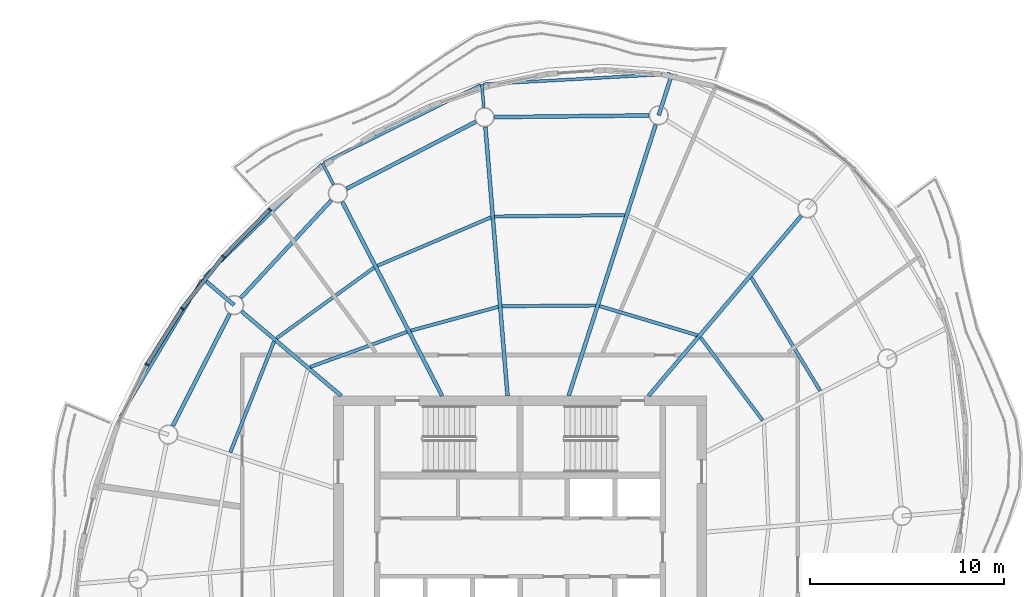
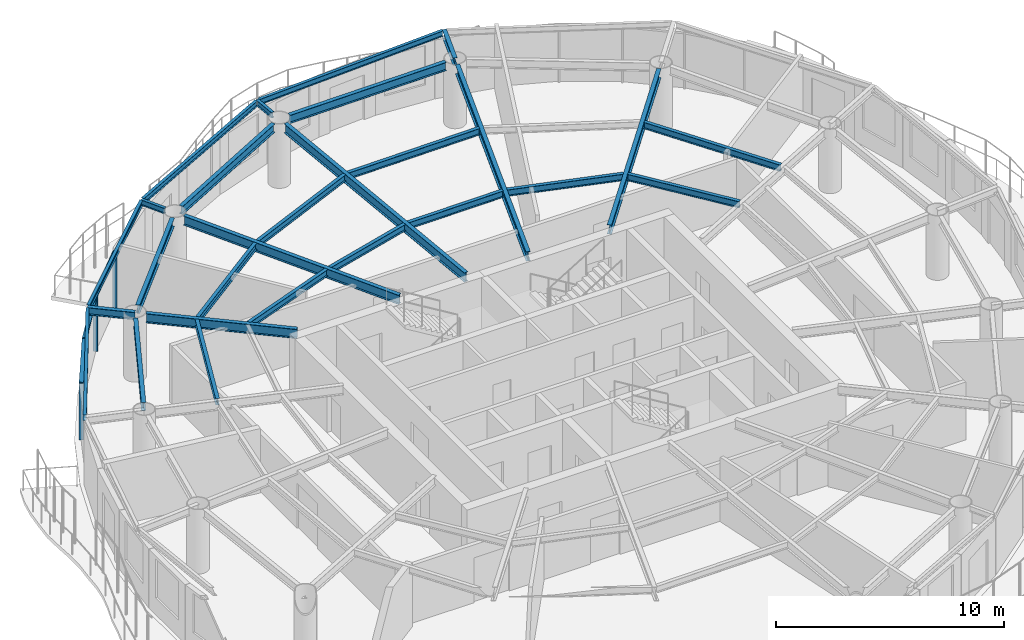
# One storey, part 5 of 14: 27 beams, 7 members, 4 elements without a shape of their own.
"""IFC4 building model written with IfcOpenShell, lengths in metres."""

from ifc_helpers import new_model, si_unit, direction, frame, origin, origin_2d, place, context, subcontext, project, spatial, rectangle, i_section, extrude, material, material_profile, profile_set, type_object, element, aggregate, save


model = new_model("IFC4")

# Units and contexts
model_context = context("Model", 3, precision=1e-05, world=origin(), true_north=direction((0.0, 1.0)))
body_context = subcontext(model_context, "Body", "Model", "MODEL_VIEW")
ifc_project = project(units=[si_unit("LENGTHUNIT", "METRE"), si_unit("AREAUNIT", "SQUARE_METRE"), si_unit("VOLUMEUNIT", "CUBIC_METRE"), si_unit("PLANEANGLEUNIT", "RADIAN"), si_unit("MASSUNIT", "GRAM", prefix="KILO")], contexts=[model_context])

# Site, building, storey
site_placement = place(None, origin())
site = spatial("IfcSite", under=ifc_project, at=site_placement, CompositionType="ELEMENT")
building_placement = place(site_placement, origin())
building = spatial("IfcBuilding", under=site, at=building_placement, Name="Vermilion Reach Broadcast Tower", CompositionType="ELEMENT")
storey_placement = place(building_placement, frame((0.0, 0.0, 254.10009765625)))
storey = spatial("IfcBuildingStorey", under=building, at=storey_placement, Name="L62", CompositionType="ELEMENT", Elevation=254.10009765625)

# Beams
ifc_material_1 = material(Name="Steel S355J2", Category="steel")
ifc_material_profile_1 = material_profile(ifc_material_1, i_section(OverallWidth=0.14990234375, OverallDepth=0.300048828125, WebThickness=0.006591796875, FlangeThickness=0.009033203125, at=origin_2d()), Name="S355J2 HN 300x150x6.5x9")
ifc_profile_set_1 = profile_set([ifc_material_profile_1], Name="Steel S355J2")
beam_type_1 = type_object("IfcBeamType", Name="EB5 HN 300x150x6.5x9", PredefinedType="BEAM", material=ifc_profile_set_1)
beam_1_placement = place(storey_placement, frame((1.715576171875, 24.372802734375, 3.2998046875), z_axis=(-0.998492049907, -0.054896505108, 0.0), x_axis=(0.054896505108, -0.998492049907, 0.0)))
element("IfcBeam", 1, at=beam_1_placement, inside=storey, type_object=beam_type_1, Name="Edge beam EB5-01", PredefinedType="BEAM", context=body_context, shape_type="SweptSolid", body=[
    extrude(i_section(OverallWidth=0.14990234375, OverallDepth=0.300048828125, WebThickness=0.006591796875, FlangeThickness=0.009033203125, at=origin_2d()), origin(), (0.0, 0.0, 1.0), 9.619384765625),
])
beam_2_placement = place(storey_placement, frame((-8.03662109375, 23.8046875, 3.2998046875), z_axis=(-0.896081241174, -0.443890086865, 0.0), x_axis=(0.443890086865, -0.896081241174, 0.0)))
element("IfcBeam", 2, at=beam_2_placement, inside=storey, type_object=beam_type_1, Name="Edge beam EB5-02", PredefinedType="BEAM", context=body_context, shape_type="SweptSolid", body=[
    extrude(i_section(OverallWidth=0.14990234375, OverallDepth=0.300048828125, WebThickness=0.006591796875, FlangeThickness=0.009033203125, at=origin_2d()), origin(), (0.0, 0.0, 1.0), 8.999755859375),
])
beam_3_placement = place(storey_placement, frame((-16.224609375, 19.722412109375, 3.2998046875), z_axis=(-0.720760242207, -0.693184443892, 0.0), x_axis=(0.693184443892, -0.720760242207, 0.0)))
element("IfcBeam", 3, at=beam_3_placement, inside=storey, type_object=beam_type_1, Name="Edge beam EB5-03", PredefinedType="BEAM", context=body_context, shape_type="SweptSolid", body=[
    extrude(i_section(OverallWidth=0.14990234375, OverallDepth=0.300048828125, WebThickness=0.006591796875, FlangeThickness=0.009033203125, at=origin_2d()), origin(), (0.0, 0.0, 1.0), 8.375244140625),
])
beam_4_placement = place(storey_placement, frame((-22.3857421875, 13.760009765625, 3.2998046875), z_axis=(-0.512455740507, -0.858713639126, 0.0), x_axis=(0.858713639126, -0.512455740507, 0.0)))
element("IfcBeam", 4, at=beam_4_placement, inside=storey, type_object=beam_type_1, Name="Edge beam EB5-04", PredefinedType="BEAM", context=body_context, shape_type="SweptSolid", body=[
    extrude(i_section(OverallWidth=0.14990234375, OverallDepth=0.300048828125, WebThickness=0.006591796875, FlangeThickness=0.009033203125, at=origin_2d()), origin(), (0.0, 0.0, 1.0), 8.207275390625),
])
ifc_material_2 = material(Name="Steel S355J2", Category="steel")
ifc_material_profile_2 = material_profile(ifc_material_2, i_section(OverallWidth=0.199951171875, OverallDepth=0.5, WebThickness=0.010009765625, FlangeThickness=0.01611328125, at=origin_2d()), Name="S355J2 HN 500x200x10x16")
ifc_profile_set_2 = profile_set([ifc_material_profile_2], Name="Steel S355J2")
beam_type_2 = type_object("IfcBeamType", Name="G5 HN 500x200x10x16", PredefinedType="BEAM", material=ifc_profile_set_2)
beam_5_placement = place(storey_placement, frame((-3.497314453125, 7.800048828125, 3.199951171875), z_axis=(0.305545401295, 0.952177508528, 0.0), x_axis=(-0.952177508528, 0.305545401295, 0.0)))
element("IfcBeam", 5, at=beam_5_placement, inside=storey, type_object=beam_type_2, Name="Girder G5-01", PredefinedType="BEAM", context=body_context, shape_type="SweptSolid", body=[
    extrude(i_section(OverallWidth=0.199951171875, OverallDepth=0.5, WebThickness=0.010009765625, FlangeThickness=0.01611328125, at=origin_2d()), origin(), (0.0, 0.0, 1.0), 14.672607421875),
])
beam_6_placement = place(storey_placement, frame((-6.642578125, 7.800048828125, 3.199951171875), z_axis=(-0.082123744247, 0.996622140347, 0.0), x_axis=(-0.996622140347, -0.082123744247, 0.0)))
element("IfcBeam", 6, at=beam_6_placement, inside=storey, type_object=beam_type_2, Name="Girder G5-02", PredefinedType="BEAM", context=body_context, shape_type="SweptSolid", body=[
    extrude(i_section(OverallWidth=0.199951171875, OverallDepth=0.5, WebThickness=0.010009765625, FlangeThickness=0.01611328125, at=origin_2d()), origin(), (0.0, 0.0, 1.0), 13.89794921875),
])
beam_7_placement = place(storey_placement, frame((-10.010498046875, 7.800048828125, 3.199951171875), z_axis=(-0.457258168112, 0.889334002327, 0.0), x_axis=(-0.889334002327, -0.457258168112, 0.0)))
element("IfcBeam", 7, at=beam_7_placement, inside=storey, type_object=beam_type_2, Name="Girder G5-03", PredefinedType="BEAM", context=body_context, shape_type="SweptSolid", body=[
    extrude(i_section(OverallWidth=0.199951171875, OverallDepth=0.5, WebThickness=0.010009765625, FlangeThickness=0.01611328125, at=origin_2d()), origin(), (0.0, 0.0, 1.0), 11.236328125),
])
beam_8_placement = place(storey_placement, frame((-15.20068359375, 7.800048828125, 3.199951171875), z_axis=(-0.762793125612, 0.646642596431, 0.0), x_axis=(-0.646642596431, -0.762793125612, 0.0)))
element("IfcBeam", 8, at=beam_8_placement, inside=storey, type_object=beam_type_2, Name="Girder G5-04", PredefinedType="BEAM", context=body_context, shape_type="SweptSolid", body=[
    extrude(i_section(OverallWidth=0.199951171875, OverallDepth=0.5, WebThickness=0.010009765625, FlangeThickness=0.01611328125, at=origin_2d()), origin(), (0.0, 0.0, 1.0), 6.732421875),
])
beam_9_placement = place(storey_placement, frame((0.612548828125, 7.800048828125, 3.199951171875), z_axis=(0.646658335602, 0.762779782766, 0.0), x_axis=(-0.762779782766, 0.646658335602, 0.0)))
element("IfcBeam", 9, at=beam_9_placement, inside=storey, type_object=beam_type_2, Name="Girder G5-16", PredefinedType="BEAM", context=body_context, shape_type="SweptSolid", body=[
    extrude(i_section(OverallWidth=0.199951171875, OverallDepth=0.5, WebThickness=0.010009765625, FlangeThickness=0.01611328125, at=origin_2d()), origin(), (0.0, 0.0, 1.0), 12.16064453125),
])
ifc_material_3 = material(Name="Steel S355J2", Category="steel")
ifc_material_profile_3 = material_profile(ifc_material_3, i_section(OverallWidth=0.199951171875, OverallDepth=0.39990234375, WebThickness=0.008056640625, FlangeThickness=0.012939453125, at=origin_2d()), Name="S355J2 HN 400x200x8x13")
ifc_profile_set_3 = profile_set([ifc_material_profile_3], Name="Steel S355J2")
beam_type_3 = type_object("IfcBeamType", Name="GC5 HN 400x200x8x13", PredefinedType="BEAM", material=ifc_profile_set_3)
beam_10_placement = place(storey_placement, frame((1.138427734375, 22.2470703125, 3.25), z_axis=(0.305574941764, 0.952168028746, 0.0), x_axis=(-0.952168028746, 0.305574941764, 0.0)))
element("IfcBeam", 10, at=beam_10_placement, inside=storey, type_object=beam_type_3, Name="Cantilever girder GC5-01", PredefinedType="BEAM", context=body_context, shape_type="SweptSolid", body=[
    extrude(i_section(OverallWidth=0.199951171875, OverallDepth=0.39990234375, WebThickness=0.008056640625, FlangeThickness=0.012939453125, at=origin_2d()), origin(), (0.0, 0.0, 1.0), 2.23876953125),
])
beam_11_placement = place(storey_placement, frame((-20.717529296875, 12.476806640625, 3.25), z_axis=(-0.762734724319, 0.646711481511, 0.0), x_axis=(-0.646711481511, -0.762734724319, 0.0)))
element("IfcBeam", 11, at=beam_11_placement, inside=storey, type_object=beam_type_3, Name="Cantilever girder GC5-04", PredefinedType="BEAM", context=body_context, shape_type="SweptSolid", body=[
    extrude(i_section(OverallWidth=0.199951171875, OverallDepth=0.39990234375, WebThickness=0.008056640625, FlangeThickness=0.012939453125, at=origin_2d()), origin(), (0.0, 0.0, 1.0), 2.118896484375),
])
ifc_material_4 = material(Name="Steel S355J2", Category="steel")
ifc_material_profile_4 = material_profile(ifc_material_4, i_section(OverallWidth=0.14990234375, OverallDepth=0.300048828125, WebThickness=0.006591796875, FlangeThickness=0.009033203125, at=origin_2d()), Name="S355J2 HN 300x150x6.5x9")
ifc_profile_set_4 = profile_set([ifc_material_profile_4], Name="Steel S355J2")
beam_type_4 = type_object("IfcBeamType", Name="GS5 HN 300x150x6.5x9", PredefinedType="BEAM", material=ifc_profile_set_4)
beam_12_placement = place(storey_placement, frame((-7.865966796875, 22.647705078125, 3.2998046875), z_axis=(-0.082201420763, 0.996615736593, 0.0), x_axis=(-0.996615736593, -0.082201420763, 0.0)))
element("IfcBeam", 12, at=beam_12_placement, inside=storey, type_object=beam_type_4, Name="Cantilever stub GS5-02", PredefinedType="BEAM", context=body_context, shape_type="SweptSolid", body=[
    extrude(i_section(OverallWidth=0.14990234375, OverallDepth=0.300048828125, WebThickness=0.006591796875, FlangeThickness=0.009033203125, at=origin_2d()), origin(), (0.0, 0.0, 1.0), 1.197021484375),
])
beam_13_placement = place(storey_placement, frame((-15.60546875, 18.682373046875, 3.2998046875), z_axis=(-0.457343529414, 0.889290107953, 0.0), x_axis=(-0.889290107953, -0.457343529414, 0.0)))
element("IfcBeam", 13, at=beam_13_placement, inside=storey, type_object=beam_type_4, Name="Cantilever stub GS5-03", PredefinedType="BEAM", context=body_context, shape_type="SweptSolid", body=[
    extrude(i_section(OverallWidth=0.14990234375, OverallDepth=0.300048828125, WebThickness=0.006591796875, FlangeThickness=0.009033203125, at=origin_2d()), origin(), (0.0, 0.0, 1.0), 1.23046875),
])
ifc_material_5 = material(Name="Steel S355J2", Category="steel")
ifc_material_profile_5 = material_profile(ifc_material_5, i_section(OverallWidth=0.199951171875, OverallDepth=0.449951171875, WebThickness=0.009033203125, FlangeThickness=0.013916015625, at=origin_2d()), Name="S355J2 HN 450x200x9x14")
ifc_profile_set_5 = profile_set([ifc_material_profile_5], Name="Steel S355J2")
beam_type_5 = type_object("IfcBeamType", Name="RB5 HN 450x200x9x14", PredefinedType="BEAM", material=ifc_profile_set_5)
beam_14_placement = place(storey_placement, frame((0.638427734375, 22.24169921875, 3.224853515625), z_axis=(-0.999940445231, -0.010913569149, 0.0), x_axis=(0.010913569149, -0.999940445231, 0.0)))
element("IfcBeam", 14, at=beam_14_placement, inside=storey, type_object=beam_type_5, Name="Ring beam RB5-01", PredefinedType="BEAM", context=body_context, shape_type="SweptSolid", body=[
    extrude(i_section(OverallWidth=0.199951171875, OverallDepth=0.449951171875, WebThickness=0.009033203125, FlangeThickness=0.013916015625, at=origin_2d()), origin(), (0.0, 0.0, 1.0), 7.9638671875),
])
beam_15_placement = place(storey_placement, frame((-8.268798828125, 21.91943359375, 3.224853515625), z_axis=(-0.887960248279, -0.459920207729, 0.0), x_axis=(0.459920207729, -0.887960248279, 0.0)))
element("IfcBeam", 15, at=beam_15_placement, inside=storey, type_object=beam_type_5, Name="Ring beam RB5-02", PredefinedType="BEAM", context=body_context, shape_type="SweptSolid", body=[
    extrude(i_section(OverallWidth=0.199951171875, OverallDepth=0.449951171875, WebThickness=0.009033203125, FlangeThickness=0.013916015625, at=origin_2d()), origin(), (0.0, 0.0, 1.0), 7.5048828125),
])
beam_16_placement = place(storey_placement, frame((-15.716796875, 17.87109375, 3.224853515625), z_axis=(-0.679837550075, -0.733362738014, 0.0), x_axis=(0.733362738014, -0.679837550075, 0.0)))
element("IfcBeam", 16, at=beam_16_placement, inside=storey, type_object=beam_type_5, Name="Ring beam RB5-03", PredefinedType="BEAM", context=body_context, shape_type="SweptSolid", body=[
    extrude(i_section(OverallWidth=0.199951171875, OverallDepth=0.449951171875, WebThickness=0.009033203125, FlangeThickness=0.013916015625, at=origin_2d()), origin(), (0.0, 0.0, 1.0), 6.85546875),
])
beam_17_placement = place(storey_placement, frame((-20.944091796875, 12.03125, 3.224853515625), z_axis=(-0.453052302855, -0.891483937532, 0.0), x_axis=(0.891483937532, -0.453052302855, 0.0)))
element("IfcBeam", 17, at=beam_17_placement, inside=storey, type_object=beam_type_5, Name="Ring beam RB5-04", PredefinedType="BEAM", context=body_context, shape_type="SweptSolid", body=[
    extrude(i_section(OverallWidth=0.199951171875, OverallDepth=0.449951171875, WebThickness=0.009033203125, FlangeThickness=0.013916015625, at=origin_2d()), origin(), (0.0, 0.0, 1.0), 6.47900390625),
])
ifc_material_6 = material(Name="Steel S355J2", Category="steel")
ifc_material_profile_6 = material_profile(ifc_material_6, i_section(OverallWidth=0.175048828125, OverallDepth=0.35009765625, WebThickness=0.007080078125, FlangeThickness=0.010986328125, at=origin_2d()), Name="S355J2 HN 350x175x7x11")
ifc_profile_set_6 = profile_set([ifc_material_profile_6], Name="Steel S355J2")
beam_type_6 = type_object("IfcBeamType", Name="SB5 HN 350x175x7x11", PredefinedType="BEAM", material=ifc_profile_set_6)
beam_18_placement = place(storey_placement, frame((-2.108154296875, 12.4560546875, 3.27490234375), z_axis=(-0.999968312294, -0.007960804474, 0.0), x_axis=(0.007960804474, -0.999968312294, 0.0)))
element("IfcBeam", 18, at=beam_18_placement, inside=storey, type_object=beam_type_6, Name="Secondary beam SB5-01-1", PredefinedType="BEAM", context=body_context, shape_type="SweptSolid", body=[
    extrude(i_section(OverallWidth=0.175048828125, OverallDepth=0.35009765625, WebThickness=0.007080078125, FlangeThickness=0.010986328125, at=origin_2d()), origin(), (0.0, 0.0, 1.0), 4.81494140625),
])
beam_19_placement = place(storey_placement, frame((-0.614013671875, 17.11279296875, 3.27490234375), z_axis=(-0.999932654133, -0.011605481368, 0.0), x_axis=(0.011605481368, -0.999932654133, 0.0)))
element("IfcBeam", 19, at=beam_19_placement, inside=storey, type_object=beam_type_6, Name="Secondary beam SB5-01-2", PredefinedType="BEAM", context=body_context, shape_type="SweptSolid", body=[
    extrude(i_section(OverallWidth=0.175048828125, OverallDepth=0.35009765625, WebThickness=0.007080078125, FlangeThickness=0.010986328125, at=origin_2d()), origin(), (0.0, 0.0, 1.0), 6.689697265625),
])
beam_20_placement = place(storey_placement, frame((-7.12109375, 12.39013671875, 3.27490234375), z_axis=(-0.964547496851, -0.263909314573, 0.0), x_axis=(0.263909314573, -0.964547496851, 0.0)))
element("IfcBeam", 20, at=beam_20_placement, inside=storey, type_object=beam_type_6, Name="Secondary beam SB5-02-1", PredefinedType="BEAM", context=body_context, shape_type="SweptSolid", body=[
    extrude(i_section(OverallWidth=0.175048828125, OverallDepth=0.35009765625, WebThickness=0.007080078125, FlangeThickness=0.010986328125, at=origin_2d()), origin(), (0.0, 0.0, 1.0), 4.6689453125),
])
beam_21_placement = place(storey_placement, frame((-7.50048828125, 16.99267578125, 3.27490234375), z_axis=(-0.919880986172, -0.392197617637, 0.0), x_axis=(0.392197617637, -0.919880986172, 0.0)))
element("IfcBeam", 21, at=beam_21_placement, inside=storey, type_object=beam_type_6, Name="Secondary beam SB5-02-2", PredefinedType="BEAM", context=body_context, shape_type="SweptSolid", body=[
    extrude(i_section(OverallWidth=0.175048828125, OverallDepth=0.35009765625, WebThickness=0.007080078125, FlangeThickness=0.010986328125, at=origin_2d()), origin(), (0.0, 0.0, 1.0), 6.351806640625),
])
beam_22_placement = place(storey_placement, frame((-11.81787109375, 11.0966796875, 3.27490234375), z_axis=(-0.940220108875, -0.340567389613, 0.0), x_axis=(0.340567389613, -0.940220108875, 0.0)))
element("IfcBeam", 22, at=beam_22_placement, inside=storey, type_object=beam_type_6, Name="Secondary beam SB5-03-1", PredefinedType="BEAM", context=body_context, shape_type="SweptSolid", body=[
    extrude(i_section(OverallWidth=0.175048828125, OverallDepth=0.35009765625, WebThickness=0.007080078125, FlangeThickness=0.010986328125, at=origin_2d()), origin(), (0.0, 0.0, 1.0), 5.303466796875),
])
beam_23_placement = place(storey_placement, frame((-13.517578125, 14.402587890625, 3.27490234375), z_axis=(-0.809771251518, -0.586745703192, 0.0), x_axis=(0.586745703192, -0.809771251518, 0.0)))
element("IfcBeam", 23, at=beam_23_placement, inside=storey, type_object=beam_type_6, Name="Secondary beam SB5-03-2", PredefinedType="BEAM", context=body_context, shape_type="SweptSolid", body=[
    extrude(i_section(OverallWidth=0.175048828125, OverallDepth=0.35009765625, WebThickness=0.007080078125, FlangeThickness=0.010986328125, at=origin_2d()), origin(), (0.0, 0.0, 1.0), 6.20361328125),
])
beam_24_placement = place(storey_placement, frame((-18.6630859375, 10.604248046875, 3.27490234375), z_axis=(-0.366931189603, -0.930248086317, 0.0), x_axis=(0.930248086317, -0.366931189603, 0.0)))
element("IfcBeam", 24, at=beam_24_placement, inside=storey, type_object=beam_type_6, Name="Secondary beam SB5-04-2", PredefinedType="BEAM", context=body_context, shape_type="SweptSolid", body=[
    extrude(i_section(OverallWidth=0.175048828125, OverallDepth=0.35009765625, WebThickness=0.007080078125, FlangeThickness=0.010986328125, at=origin_2d()), origin(), (0.0, 0.0, 1.0), 6.141357421875),
])
beam_25_placement = place(storey_placement, frame((6.492919921875, 6.53564453125, 3.27490234375), z_axis=(-0.599055582645, 0.800707442767, 0.0), x_axis=(-0.800707442767, -0.599055582645, 0.0)))
element("IfcBeam", 25, at=beam_25_placement, inside=storey, type_object=beam_type_6, Name="Secondary beam SB5-15-1", PredefinedType="BEAM", context=body_context, shape_type="SweptSolid", body=[
    extrude(i_section(OverallWidth=0.175048828125, OverallDepth=0.35009765625, WebThickness=0.007080078125, FlangeThickness=0.010986328125, at=origin_2d()), origin(), (0.0, 0.0, 1.0), 5.337890625),
])
beam_26_placement = place(storey_placement, frame((9.455078125, 8.058837890625, 3.27490234375), z_axis=(-0.519272962556, 0.854608442714, 0.0), x_axis=(-0.854608442714, -0.519272962556, 0.0)))
element("IfcBeam", 26, at=beam_26_placement, inside=storey, type_object=beam_type_6, Name="Secondary beam SB5-15-2", PredefinedType="BEAM", context=body_context, shape_type="SweptSolid", body=[
    extrude(i_section(OverallWidth=0.175048828125, OverallDepth=0.35009765625, WebThickness=0.007080078125, FlangeThickness=0.010986328125, at=origin_2d()), origin(), (0.0, 0.0, 1.0), 6.82763671875),
])
beam_27_placement = place(storey_placement, frame((3.129150390625, 10.92333984375, 3.27490234375), z_axis=(-0.958124906971, 0.286350593925, 0.0), x_axis=(-0.286350593925, -0.958124906971, 0.0)))
element("IfcBeam", 27, at=beam_27_placement, inside=storey, type_object=beam_type_6, Name="Secondary beam SB5-16-1", PredefinedType="BEAM", context=body_context, shape_type="SweptSolid", body=[
    extrude(i_section(OverallWidth=0.175048828125, OverallDepth=0.35009765625, WebThickness=0.007080078125, FlangeThickness=0.010986328125, at=origin_2d()), origin(), (0.0, 0.0, 1.0), 5.25634765625),
])

# Curtain wall, member
ifc_material_7 = material(Name="Low-e laminated clear glass in aluminium frame", Category="aluminium")
curtain_wall_type = type_object("IfcCurtainWallType", Name="Slot curtain wall", PredefinedType="NOTDEFINED", material=ifc_material_7)
placement = place(storey_placement, origin())
curtain_wall_1 = element("IfcCurtainWall", 28, at=placement, inside=storey, type_object=curtain_wall_type, Name="Slot curtain wall L62 10", PredefinedType="NOTDEFINED")
ifc_material_8 = material(Name="Anodised aluminium", Category="aluminium")
ifc_material_profile_7 = material_profile(ifc_material_8, rectangle(XDim=0.199951171875, YDim=0.080078125, at=origin_2d()), Name="Slot mullion 80 x 200")
ifc_profile_set_7 = profile_set([ifc_material_profile_7], Name="Anodised aluminium")
member_type_1 = type_object("IfcMemberType", Name="Slot mullion 80 x 200", PredefinedType="MULLION", material=ifc_profile_set_7)
member_1_placement = place(storey_placement, frame((-18.891357421875, 17.400390625, 0.0), z_axis=(0.0, 0.0, 1.0), x_axis=(0.673257878511, -0.739407755587, 0.0)))
member_1 = element("IfcMember", 29, at=member_1_placement, type_object=member_type_1, Name="Slot mullion L62 10", PredefinedType="MULLION", context=body_context, shape_type="SweptSolid", body=[
    extrude(rectangle(XDim=0.199951171875, YDim=0.080078125, at=origin_2d()), origin(), (0.0, 0.0, 1.0), 3.0498046875),
])

curtain_wall_2 = element("IfcCurtainWall", 30, at=placement, inside=storey, type_object=curtain_wall_type, Name="Slot curtain wall L62 11", PredefinedType="NOTDEFINED")
member_2_placement = place(storey_placement, frame((-21.27197265625, 14.98095703125, 0.0), z_axis=(0.0, 0.0, 1.0), x_axis=(0.749580749829, -0.661912909291, 0.0)))
member_2 = element("IfcMember", 31, at=member_2_placement, type_object=member_type_1, Name="Slot mullion L62 11", PredefinedType="MULLION", context=body_context, shape_type="SweptSolid", body=[
    extrude(rectangle(XDim=0.199951171875, YDim=0.080078125, at=origin_2d()), origin(), (0.0, 0.0, 1.0), 3.0498046875),
])

curtain_wall_3 = element("IfcCurtainWall", 32, at=placement, inside=storey, type_object=curtain_wall_type, Name="Slot curtain wall L62 12", PredefinedType="NOTDEFINED")
member_3_placement = place(storey_placement, frame((-23.390380859375, 12.303955078125, 0.0), z_axis=(0.0, 0.0, 1.0), x_axis=(0.816339305354, -0.577572626199, 0.0)))
member_3 = element("IfcMember", 33, at=member_3_placement, type_object=member_type_1, Name="Slot mullion L62 12", PredefinedType="MULLION", context=body_context, shape_type="SweptSolid", body=[
    extrude(rectangle(XDim=0.199951171875, YDim=0.080078125, at=origin_2d()), origin(), (0.0, 0.0, 1.0), 3.0498046875),
])

curtain_wall_4 = element("IfcCurtainWall", 34, at=placement, inside=storey, type_object=curtain_wall_type, Name="Slot curtain wall L62 13", PredefinedType="NOTDEFINED")
member_4_placement = place(storey_placement, frame((-25.209716796875, 9.41552734375, 0.0), z_axis=(0.0, 0.0, 1.0), x_axis=(0.873652736439, -0.486549993435, 0.0)))
member_4 = element("IfcMember", 35, at=member_4_placement, type_object=member_type_1, Name="Slot mullion L62 13", PredefinedType="MULLION", context=body_context, shape_type="SweptSolid", body=[
    extrude(rectangle(XDim=0.199951171875, YDim=0.080078125, at=origin_2d()), origin(), (0.0, 0.0, 1.0), 3.0498046875),
])
aggregate(curtain_wall_4, [member_4])

# Member
ifc_material_9 = material(Name="Anodised aluminium", Category="aluminium")
ifc_material_profile_8 = material_profile(ifc_material_9, rectangle(XDim=0.199951171875, YDim=0.10009765625, at=origin_2d()), Name="Slot transom 200 x 100")
ifc_profile_set_8 = profile_set([ifc_material_profile_8], Name="Anodised aluminium")
member_type_2 = type_object("IfcMemberType", Name="Slot transom 200 x 100", PredefinedType="USERDEFINED", material=ifc_profile_set_8)
member_5_placement = place(storey_placement, frame((-18.91943359375, 17.371826171875, 3.0), z_axis=(-0.70137461323, -0.712792853441, 0.0), x_axis=(0.712792853441, -0.70137461323, 0.0)))
member_5 = element("IfcMember", 36, at=member_5_placement, type_object=member_type_2, Name="Slot transom L62 10.1", ObjectType="TRANSOM", PredefinedType="USERDEFINED", context=body_context, shape_type="SweptSolid", body=[
    extrude(rectangle(XDim=0.199951171875, YDim=0.10009765625, at=origin_2d()), origin(), (0.0, 0.0, 1.0), 3.314208984375),
])

aggregate(curtain_wall_1, [member_1, member_5])

member_6_placement = place(storey_placement, frame((-21.296875, 14.94970703125, 3.0), z_axis=(-0.620479711606, -0.784222498712, 0.0), x_axis=(0.784222498712, -0.620479711606, 0.0)))
member_6 = element("IfcMember", 37, at=member_6_placement, type_object=member_type_2, Name="Slot transom L62 11.1", ObjectType="TRANSOM", PredefinedType="USERDEFINED", context=body_context, shape_type="SweptSolid", body=[
    extrude(rectangle(XDim=0.199951171875, YDim=0.10009765625, at=origin_2d()), origin(), (0.0, 0.0, 1.0), 3.333984375),
])

aggregate(curtain_wall_2, [member_2, member_6])

member_7_placement = place(storey_placement, frame((-23.41162109375, 12.27001953125, 3.0), z_axis=(-0.532984181983, -0.846125204539, 0.0), x_axis=(0.846125204539, -0.532984181983, 0.0)))
member_7 = element("IfcMember", 38, at=member_7_placement, type_object=member_type_2, Name="Slot transom L62 12.1", ObjectType="TRANSOM", PredefinedType="USERDEFINED", context=body_context, shape_type="SweptSolid", body=[
    extrude(rectangle(XDim=0.199951171875, YDim=0.10009765625, at=origin_2d()), origin(), (0.0, 0.0, 1.0), 3.333740234375),
])

aggregate(curtain_wall_3, [member_3, member_7])

save(model, "model.ifc")
